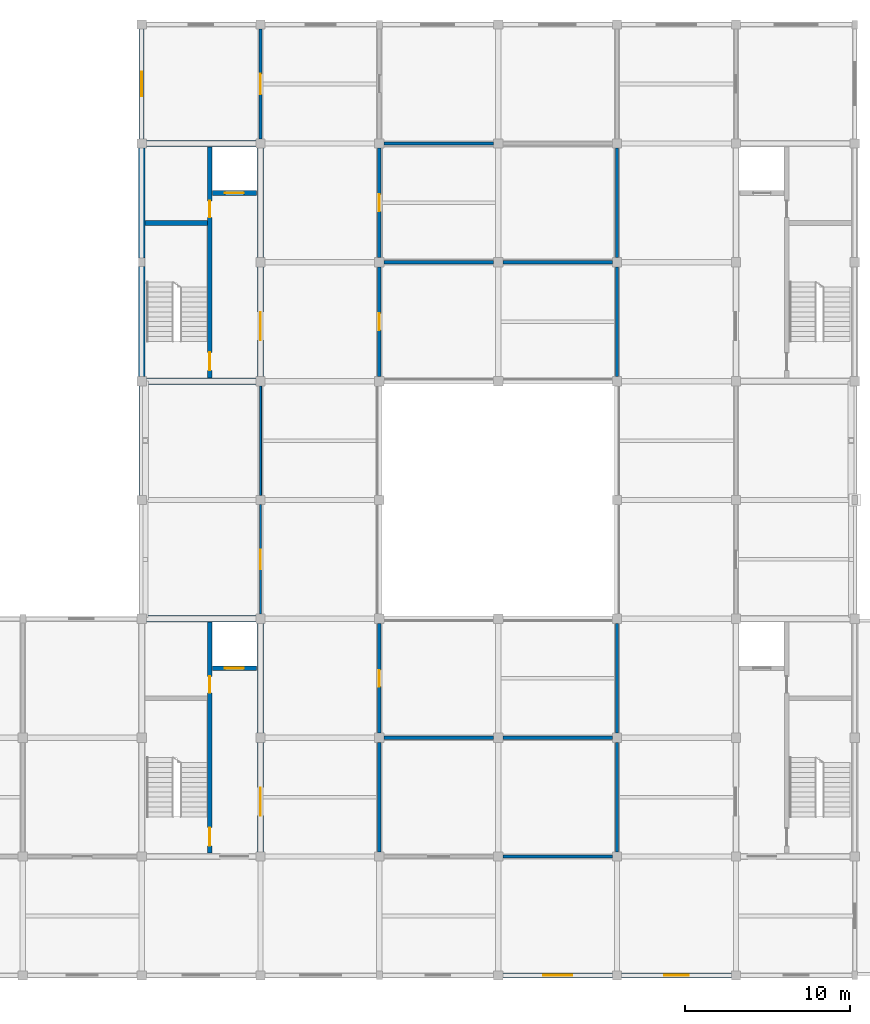
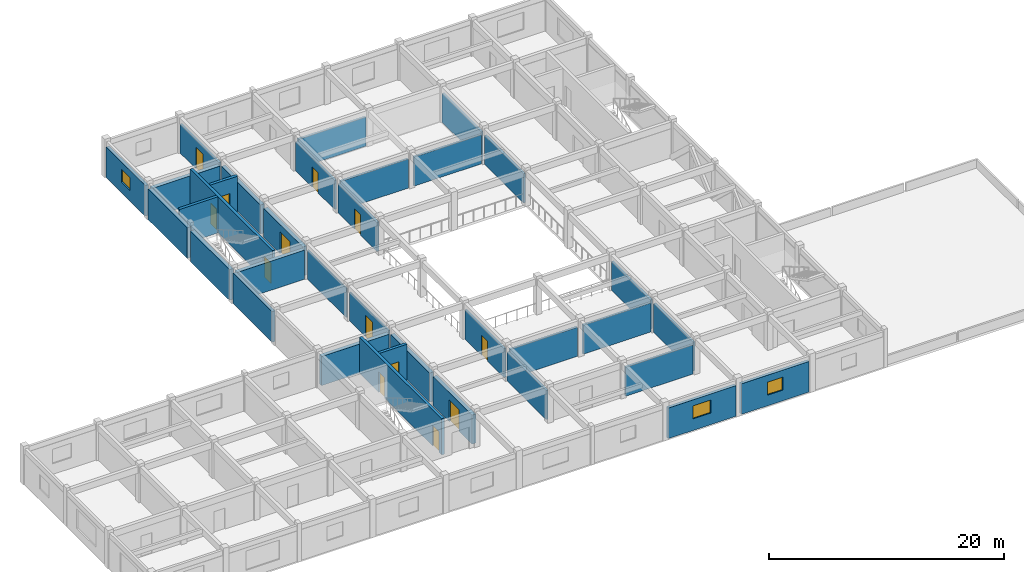
# One storey, part 5 of 8: 35 walls, 13 doors, 3 windows, 16 openings.
"""IFC4 building model written with IfcOpenShell, lengths in metres."""

from ifc_helpers import new_model, si_unit, direction, frame, frame_2d, origin, place, context, subcontext, project, spatial, rectangle, extrude, material, layer, layer_set, type_object, element, fill, save


model = new_model("IFC4")

# Units and contexts
model_context = context("Model", 3, precision=1e-05, world=origin(), true_north=direction((0.0, 1.0)))
body_context = subcontext(model_context, "Body", "Model", "MODEL_VIEW")
ifc_project = project(units=[si_unit("LENGTHUNIT", "METRE"), si_unit("AREAUNIT", "SQUARE_METRE"), si_unit("VOLUMEUNIT", "CUBIC_METRE"), si_unit("PLANEANGLEUNIT", "RADIAN"), si_unit("MASSUNIT", "GRAM", prefix="KILO")], contexts=[model_context])

# Site, building, storey
site_placement = place(None, origin())
site = spatial("IfcSite", under=ifc_project, at=site_placement, CompositionType="ELEMENT")
building_placement = place(site_placement, origin())
building = spatial("IfcBuilding", under=site, at=building_placement, Name="Cendaluz Park School", CompositionType="ELEMENT")
storey_placement = place(building_placement, frame((0.0, 0.0, 42.800048828125)))
storey = spatial("IfcBuildingStorey", under=building, at=storey_placement, Name="L10", CompositionType="ELEMENT", Elevation=42.800048828125)

# Walls
ifc_material_1 = material(Name="Gypsum Plasterboard on Cold-Formed Stud", Category="gypsum")
ifc_layer_1 = layer(ifc_material_1, 0.199951171875)
ifc_layer_set_1 = layer_set([ifc_layer_1], Name="Gypsum Plasterboard on Cold-Formed Stud")
wall_type_1 = type_object("IfcWallType", Name="W-AC20", PredefinedType="PARTITIONING", material=ifc_layer_set_1)
for number, where, z_axis, x_axis, name in (
    (1, (79.47998046875, 50.39990234375, 0.0), (0.0, 0.0, 1.0), (1.0, 0.0, 0.0), "WL-FK-BL5"),
    (2, (79.47998046875, 57.60009765625, 0.0), (0.0, 0.0, 1.0), (1.0, 0.0, 0.0), "WL-FK-BL6"),
):
    element("IfcWall", number, at=place(storey_placement, frame(where, z_axis=z_axis, x_axis=x_axis)), inside=storey, type_object=wall_type_1, Name=name, PredefinedType="PARTITIONING", context=body_context, shape_type="SweptSolid", body=[
        extrude(rectangle(XDim=6.64013671875, YDim=0.199951171875, at=frame_2d((3.320068359375, 0.0))), origin(), (0.0, 0.0, 1.0), 3.02001953125),
    ])

# Wall, opening, door
wall_1_placement = place(storey_placement, frame((79.199951171875, 50.679931640625, 0.0), z_axis=(0.0, 0.0, 1.0), x_axis=(0.0, 1.0, 0.0)))
wall_1 = element("IfcWall", 3, at=wall_1_placement, inside=storey, type_object=wall_type_1, Name="WL-FK-BL7", PredefinedType="PARTITIONING", context=body_context, shape_type="SweptSolid", body=[
    extrude(rectangle(XDim=6.64013671875, YDim=0.199951171875, at=frame_2d((3.320068359375, 0.0))), origin(), (0.0, 0.0, 1.0), 3.02001953125),
])
opening_1_placement = place(wall_1_placement, frame((2.81005859375, 0.0, 0.0)))
opening_1 = element("IfcOpeningElement", 4, at=opening_1_placement, cuts=wall_1, Name="Opening DCL-02", PredefinedType="OPENING", context=body_context, shape_type="SweptSolid", body=[
    extrude(rectangle(XDim=1.02001953125, YDim=2.1201171875, at=frame_2d((0.510009765625, 1.06005859375))), frame((0.0, 0.112060546875, 0.0), z_axis=(0.0, -1.0, 0.0), x_axis=(1.0, 0.0, 0.0)), (0.0, 0.0, 1.0), 0.223876953125),
])
ifc_material_2 = material(Name="Solid Core Hardwood", Category="wood")
door_type_1 = type_object("IfcDoorType", Name="DCL-02", OperationType="NOTDEFINED", PredefinedType="DOOR", material=ifc_material_2)
door_1_placement = place(opening_1_placement, frame((1.02001953125, 0.0, 0.0), z_axis=(0.0, 0.0, 1.0), x_axis=(-1.0, 0.0, 0.0)))
door_1 = element("IfcDoor", 5, at=door_1_placement, inside=storey, type_object=door_type_1, Name="D-L10-019", OperationType="SINGLE_SWING_LEFT", OverallHeight=2.1201171875, OverallWidth=1.02001953125, PredefinedType="DOOR", context=body_context, shape_type="SweptSolid", body=[
    extrude(rectangle(XDim=1.02001953125, YDim=2.1201171875, at=frame_2d((0.510009765625, 1.06005859375))), frame((0.0, 0.02490234375, 0.0), z_axis=(0.0, -1.0, 0.0), x_axis=(1.0, 0.0, 0.0)), (0.0, 0.0, 1.0), 0.050048828125),
])
fill(opening_1, door_1)

# Walls
for number, where, z_axis, x_axis, name in (
    (6, (86.679931640625, 50.39990234375, 0.0), (0.0, 0.0, 1.0), (1.0, 0.0, 0.0), "WL-FK-BL8"),
    (7, (93.60009765625, 50.679931640625, 0.0), (0.0, 0.0, 1.0), (0.0, 1.0, 0.0), "WL-FK-BM0"),
):
    element("IfcWall", number, at=place(storey_placement, frame(where, z_axis=z_axis, x_axis=x_axis)), inside=storey, type_object=wall_type_1, Name=name, PredefinedType="PARTITIONING", context=body_context, shape_type="SweptSolid", body=[
        extrude(rectangle(XDim=6.64013671875, YDim=0.199951171875, at=frame_2d((3.320068359375, 0.0))), origin(), (0.0, 0.0, 1.0), 3.02001953125),
    ])

# Wall, opening, door
wall_2_placement = place(storey_placement, frame((72.0, 57.8798828125, 0.0), z_axis=(0.0, 0.0, 1.0), x_axis=(0.0, 1.0, 0.0)))
wall_2 = element("IfcWall", 8, at=wall_2_placement, inside=storey, type_object=wall_type_1, Name="WL-FK-BN5", PredefinedType="PARTITIONING", context=body_context, shape_type="SweptSolid", body=[
    extrude(rectangle(XDim=6.64013671875, YDim=0.199951171875, at=frame_2d((3.320068359375, 0.0))), origin(), (0.0, 0.0, 1.0), 3.02001953125),
])
opening_2_placement = place(wall_2_placement, frame((2.699951171875, 0.0, 0.0)))
opening_2 = element("IfcOpeningElement", 9, at=opening_2_placement, cuts=wall_2, Name="Opening DCL-09", PredefinedType="OPENING", context=body_context, shape_type="SweptSolid", body=[
    extrude(rectangle(XDim=1.239990234375, YDim=2.260009765625, at=frame_2d((0.6201171875, 1.1298828125))), frame((0.0, 0.112060546875, 0.0), z_axis=(0.0, -1.0, 0.0), x_axis=(1.0, 0.0, 0.0)), (0.0, 0.0, 1.0), 0.223876953125),
])
door_type_2 = type_object("IfcDoorType", Name="DCL-09", OperationType="NOTDEFINED", PredefinedType="DOOR", material=ifc_material_2)
door_2_placement = place(opening_2_placement, origin())
door_2 = element("IfcDoor", 10, at=door_2_placement, inside=storey, type_object=door_type_2, Name="D-L10-026", OperationType="SINGLE_SWING_RIGHT", OverallHeight=2.260009765625, OverallWidth=1.239990234375, PredefinedType="DOOR", context=body_context, shape_type="SweptSolid", body=[
    extrude(rectangle(XDim=1.239990234375, YDim=2.260009765625, at=frame_2d((0.6201171875, 1.1298828125))), frame((0.0, 0.02490234375, 0.0), z_axis=(0.0, -1.0, 0.0), x_axis=(1.0, 0.0, 0.0)), (0.0, 0.0, 1.0), 0.050048828125),
])
fill(opening_2, door_2)

# Walls
for number, where, z_axis, x_axis, name in (
    (11, (79.47998046875, 21.60009765625, 0.0), (0.0, 0.0, 1.0), (1.0, 0.0, 0.0), "WL-FK-BN7"),
    (12, (79.199951171875, 14.679931640625, 0.0), (0.0, 0.0, 1.0), (0.0, 1.0, 0.0), "WL-FK-BN8"),
    (13, (86.679931640625, 14.39990234375, 0.0), (0.0, 0.0, 1.0), (1.0, 0.0, 0.0), "WL-FK-BN9"),
    (14, (86.679931640625, 21.60009765625, 0.0), (0.0, 0.0, 1.0), (1.0, 0.0, 0.0), "WL-FK-BO0"),
    (15, (93.60009765625, 14.679931640625, 0.0), (0.0, 0.0, 1.0), (0.0, 1.0, 0.0), "WL-FK-BO1"),
):
    element("IfcWall", number, at=place(storey_placement, frame(where, z_axis=z_axis, x_axis=x_axis)), inside=storey, type_object=wall_type_1, Name=name, PredefinedType="PARTITIONING", context=body_context, shape_type="SweptSolid", body=[
        extrude(rectangle(XDim=6.64013671875, YDim=0.199951171875, at=frame_2d((3.320068359375, 0.0))), origin(), (0.0, 0.0, 1.0), 3.02001953125),
    ])

# Wall, opening, door
wall_3_placement = place(storey_placement, frame((79.199951171875, 21.8798828125, 0.0), z_axis=(0.0, 0.0, 1.0), x_axis=(0.0, 1.0, 0.0)))
wall_3 = element("IfcWall", 16, at=wall_3_placement, inside=storey, type_object=wall_type_1, Name="WL-FK-BO2", PredefinedType="PARTITIONING", context=body_context, shape_type="SweptSolid", body=[
    extrude(rectangle(XDim=6.64013671875, YDim=0.199951171875, at=frame_2d((3.320068359375, 0.0))), origin(), (0.0, 0.0, 1.0), 3.02001953125),
])
opening_3_placement = place(wall_3_placement, frame((2.820068359375, 0.0, 0.0)))
opening_3 = element("IfcOpeningElement", 17, at=opening_3_placement, cuts=wall_3, Name="Opening DCL-01", PredefinedType="OPENING", context=body_context, shape_type="SweptSolid", body=[
    extrude(rectangle(XDim=1.0, YDim=2.10009765625, at=frame_2d((0.5, 1.050048828125))), frame((0.0, 0.112060546875, 0.0), z_axis=(0.0, -1.0, 0.0), x_axis=(1.0, 0.0, 0.0)), (0.0, 0.0, 1.0), 0.223876953125),
])
door_type_3 = type_object("IfcDoorType", Name="DCL-01", OperationType="NOTDEFINED", PredefinedType="DOOR", material=ifc_material_2)
door_3_placement = place(opening_3_placement, frame((1.0, 0.0, 0.0), z_axis=(0.0, 0.0, 1.0), x_axis=(-1.0, 0.0, 0.0)))
door_3 = element("IfcDoor", 18, at=door_3_placement, inside=storey, type_object=door_type_3, Name="D-L10-028", OperationType="SINGLE_SWING_RIGHT", OverallHeight=2.10009765625, OverallWidth=1.0, PredefinedType="DOOR", context=body_context, shape_type="SweptSolid", body=[
    extrude(rectangle(XDim=1.0, YDim=2.10009765625, at=frame_2d((0.5, 1.050048828125))), frame((0.0, 0.02490234375, 0.0), z_axis=(0.0, -1.0, 0.0), x_axis=(1.0, 0.0, 0.0)), (0.0, 0.0, 1.0), 0.050048828125),
])
fill(opening_3, door_3)

# Wall
wall_4_placement = place(storey_placement, frame((93.60009765625, 21.8798828125, 0.0), z_axis=(0.0, 0.0, 1.0), x_axis=(0.0, 1.0, 0.0)))
element("IfcWall", 19, at=wall_4_placement, inside=storey, type_object=wall_type_1, Name="WL-FK-BO3", PredefinedType="PARTITIONING", context=body_context, shape_type="SweptSolid", body=[
    extrude(rectangle(XDim=6.64013671875, YDim=0.199951171875, at=frame_2d((3.320068359375, 0.0))), origin(), (0.0, 0.0, 1.0), 3.02001953125),
])

# Wall, opening, door
wall_5_placement = place(storey_placement, frame((79.199951171875, 43.47998046875, 0.0), z_axis=(0.0, 0.0, 1.0), x_axis=(0.0, 1.0, 0.0)))
wall_5 = element("IfcWall", 20, at=wall_5_placement, inside=storey, type_object=wall_type_1, Name="WL-FK-BO4", PredefinedType="PARTITIONING", context=body_context, shape_type="SweptSolid", body=[
    extrude(rectangle(XDim=6.64013671875, YDim=0.199951171875, at=frame_2d((3.320068359375, 0.0))), origin(), (0.0, 0.0, 1.0), 3.02001953125),
])
opening_4_placement = place(wall_5_placement, frame((2.81005859375, 0.0, 0.0)))
opening_4 = element("IfcOpeningElement", 21, at=opening_4_placement, cuts=wall_5, Name="Opening DCL-02", PredefinedType="OPENING", context=body_context, shape_type="SweptSolid", body=[
    extrude(rectangle(XDim=1.02001953125, YDim=2.1201171875, at=frame_2d((0.510009765625, 1.06005859375))), frame((0.0, 0.112060546875, 0.0), z_axis=(0.0, -1.0, 0.0), x_axis=(1.0, 0.0, 0.0)), (0.0, 0.0, 1.0), 0.223876953125),
])
door_4_placement = place(opening_4_placement, frame((1.02001953125, 0.0, 0.0), z_axis=(0.0, 0.0, 1.0), x_axis=(-1.0, 0.0, 0.0)))
door_4 = element("IfcDoor", 22, at=door_4_placement, inside=storey, type_object=door_type_1, Name="D-L10-029", OperationType="SINGLE_SWING_LEFT", OverallHeight=2.1201171875, OverallWidth=1.02001953125, PredefinedType="DOOR", context=body_context, shape_type="SweptSolid", body=[
    extrude(rectangle(XDim=1.02001953125, YDim=2.1201171875, at=frame_2d((0.510009765625, 1.06005859375))), frame((0.0, 0.02490234375, 0.0), z_axis=(0.0, -1.0, 0.0), x_axis=(1.0, 0.0, 0.0)), (0.0, 0.0, 1.0), 0.050048828125),
])
fill(opening_4, door_4)

# Walls
wall_6_placement = place(storey_placement, frame((93.60009765625, 43.47998046875, 0.0), z_axis=(0.0, 0.0, 1.0), x_axis=(0.0, 1.0, 0.0)))
element("IfcWall", 23, at=wall_6_placement, inside=storey, type_object=wall_type_1, Name="WL-FK-BO5", PredefinedType="PARTITIONING", context=body_context, shape_type="SweptSolid", body=[
    extrude(rectangle(XDim=6.64013671875, YDim=0.199951171875, at=frame_2d((3.320068359375, 0.0))), origin(), (0.0, 0.0, 1.0), 3.02001953125),
])
ifc_material_3 = material(Name="Cross-laminated timber CLT C24", Category="wood")
ifc_layer_2 = layer(ifc_material_3, 0.300048828125)
ifc_layer_set_2 = layer_set([ifc_layer_2], Name="Cross-laminated timber CLT C24")
wall_type_2 = type_object("IfcWallType", Name="W-EX30", PredefinedType="SOLIDWALL", material=ifc_layer_set_2)
wall_7_placement = place(storey_placement, frame((64.800048828125, 36.280029296875, 0.0), z_axis=(0.0, 0.0, 1.0), x_axis=(0.0, 1.0, 0.0)))
element("IfcWall", 24, at=wall_7_placement, inside=storey, type_object=wall_type_2, Name="WL-FK-AB3", PredefinedType="SOLIDWALL", context=body_context, shape_type="SweptSolid", body=[
    extrude(rectangle(XDim=6.639892578125, YDim=0.300048828125, at=frame_2d((3.31982421875, 0.0))), origin(), (0.0, 0.0, 1.0), 3.179931640625),
])

# Wall, opening, window
wall_8_placement = place(storey_placement, frame((64.800048828125, 57.8798828125, 0.0), z_axis=(0.0, 0.0, 1.0), x_axis=(0.0, 1.0, 0.0)))
wall_8 = element("IfcWall", 25, at=wall_8_placement, inside=storey, type_object=wall_type_2, Name="WL-FK-AB5", PredefinedType="SOLIDWALL", context=body_context, shape_type="SweptSolid", body=[
    extrude(rectangle(XDim=6.64013671875, YDim=0.300048828125, at=frame_2d((3.320068359375, 0.0))), origin(), (0.0, 0.0, 1.0), 3.179931640625),
])
opening_5_placement = place(wall_8_placement, frame((2.570068359375, 0.0, 1.10009765625)))
opening_5 = element("IfcOpeningElement", 26, at=opening_5_placement, cuts=wall_8, Name="Opening WN-20", PredefinedType="OPENING", context=body_context, shape_type="SweptSolid", body=[
    extrude(rectangle(XDim=1.5, YDim=1.35009765625, at=frame_2d((0.75, 0.675048828125))), frame((0.0, 0.162109375, 0.0), z_axis=(0.0, -1.0, 0.0), x_axis=(1.0, 0.0, 0.0)), (0.0, 0.0, 1.0), 0.323974609375),
])
ifc_material_4 = material(Name="Tempered Low-E Double Glazing", Category="glass")
window_type_1 = type_object("IfcWindowType", Name="WN-20", PartitioningType="SINGLE_PANEL", PredefinedType="WINDOW", material=ifc_material_4)
window_1_placement = place(opening_5_placement, origin())
window_1 = element("IfcWindow", 27, at=window_1_placement, inside=storey, type_object=window_type_1, Name="WN-L10-014", OverallHeight=1.35009765625, OverallWidth=1.5, PartitioningType="SINGLE_PANEL", PredefinedType="WINDOW", context=body_context, shape_type="SweptSolid", body=[
    extrude(rectangle(XDim=1.5, YDim=1.35009765625, at=frame_2d((0.75, 0.675048828125))), frame((0.0, 0.030029296875, 0.0), z_axis=(0.0, -1.0, 0.0), x_axis=(1.0, 0.0, 0.0)), (0.0, 0.0, 1.0), 0.06005859375),
])
fill(opening_5, window_1)

wall_9_placement = place(storey_placement, frame((86.679931640625, 7.199951171875, 0.0), z_axis=(0.0, 0.0, 1.0), x_axis=(1.0, 0.0, 0.0)))
wall_9 = element("IfcWall", 28, at=wall_9_placement, inside=storey, type_object=wall_type_2, Name="WL-FK-AC0", PredefinedType="SOLIDWALL", context=body_context, shape_type="SweptSolid", body=[
    extrude(rectangle(XDim=6.64013671875, YDim=0.300048828125, at=frame_2d((3.320068359375, 0.0))), origin(), (0.0, 0.0, 1.0), 3.179931640625),
])
opening_6_placement = place(wall_9_placement, frame((2.445068359375, 0.0, 1.199951171875)))
opening_6 = element("IfcOpeningElement", 29, at=opening_6_placement, cuts=wall_9, Name="Opening WN-21", PredefinedType="OPENING", context=body_context, shape_type="SweptSolid", body=[
    extrude(rectangle(XDim=1.75, YDim=1.35009765625, at=frame_2d((0.875, 0.675048828125))), frame((0.0, 0.162109375, 0.0), z_axis=(0.0, -1.0, 0.0), x_axis=(1.0, 0.0, 0.0)), (0.0, 0.0, 1.0), 0.323974609375),
])
window_type_2 = type_object("IfcWindowType", Name="WN-21", PartitioningType="SINGLE_PANEL", PredefinedType="WINDOW", material=ifc_material_4)
window_2_placement = place(opening_6_placement, origin())
window_2 = element("IfcWindow", 30, at=window_2_placement, inside=storey, type_object=window_type_2, Name="WN-L10-019", OverallHeight=1.35009765625, OverallWidth=1.75, PartitioningType="SINGLE_PANEL", PredefinedType="WINDOW", context=body_context, shape_type="SweptSolid", body=[
    extrude(rectangle(XDim=1.75, YDim=1.35009765625, at=frame_2d((0.875, 0.675048828125))), frame((0.0, 0.030029296875, 0.0), z_axis=(0.0, -1.0, 0.0), x_axis=(1.0, 0.0, 0.0)), (0.0, 0.0, 1.0), 0.06005859375),
])
fill(opening_6, window_2)

wall_10_placement = place(storey_placement, frame((93.8798828125, 7.199951171875, 0.0), z_axis=(0.0, 0.0, 1.0), x_axis=(1.0, 0.0, 0.0)))
wall_10 = element("IfcWall", 31, at=wall_10_placement, inside=storey, type_object=wall_type_2, Name="WL-FK-AC2", PredefinedType="SOLIDWALL", context=body_context, shape_type="SweptSolid", body=[
    extrude(rectangle(XDim=6.64013671875, YDim=0.300048828125, at=frame_2d((3.320068359375, 0.0))), origin(), (0.0, 0.0, 1.0), 3.179931640625),
])
opening_7_placement = place(wall_10_placement, frame((2.570068359375, 0.0, 1.10009765625)))
opening_7 = element("IfcOpeningElement", 32, at=opening_7_placement, cuts=wall_10, Name="Opening WN-20", PredefinedType="OPENING", context=body_context, shape_type="SweptSolid", body=[
    extrude(rectangle(XDim=1.5, YDim=1.35009765625, at=frame_2d((0.75, 0.675048828125))), frame((0.0, 0.162109375, 0.0), z_axis=(0.0, -1.0, 0.0), x_axis=(1.0, 0.0, 0.0)), (0.0, 0.0, 1.0), 0.323974609375),
])
window_3_placement = place(opening_7_placement, origin())
window_3 = element("IfcWindow", 33, at=window_3_placement, inside=storey, type_object=window_type_1, Name="WN-L10-021", OverallHeight=1.35009765625, OverallWidth=1.5, PartitioningType="SINGLE_PANEL", PredefinedType="WINDOW", context=body_context, shape_type="SweptSolid", body=[
    extrude(rectangle(XDim=1.5, YDim=1.35009765625, at=frame_2d((0.75, 0.675048828125))), frame((0.0, 0.030029296875, 0.0), z_axis=(0.0, -1.0, 0.0), x_axis=(1.0, 0.0, 0.0)), (0.0, 0.0, 1.0), 0.06005859375),
])
fill(opening_7, window_3)

# Wall, openings, doors
ifc_material_5 = material(Name="Concrete C40/50", Category="concrete")
ifc_layer_3 = layer(ifc_material_5, 0.280029296875)
ifc_layer_set_3 = layer_set([ifc_layer_3], Name="Concrete C40/50")
wall_type_3 = type_object("IfcWallType", Name="W-FW28", PredefinedType="SHEAR", material=ifc_layer_set_3)
wall_11_placement = place(storey_placement, frame((68.919921875, 14.60009765625, 0.0), z_axis=(0.0, 0.0, 1.0), x_axis=(0.0, 1.0, 0.0)))
wall_11 = element("IfcWall", 34, at=wall_11_placement, inside=storey, type_object=wall_type_3, Name="WL-FK-BI5", PredefinedType="SHEAR", context=body_context, shape_type="SweptSolid", body=[
    extrude(rectangle(XDim=14.0, YDim=0.280029296875, at=frame_2d((7.0, 0.0))), origin(), (0.0, 0.0, 1.0), 3.75),
])
opening_8_placement = place(wall_11_placement, frame((0.449951171875, 0.0, 0.0)))
opening_8 = element("IfcOpeningElement", 35, at=opening_8_placement, cuts=wall_11, Name="Opening DST-01", PredefinedType="OPENING", context=body_context, shape_type="SweptSolid", body=[
    extrude(rectangle(XDim=1.10009765625, YDim=2.14990234375, at=frame_2d((0.550048828125, 1.074951171875))), frame((0.0, 0.152099609375, 0.0), z_axis=(0.0, -1.0, 0.0), x_axis=(1.0, 0.0, 0.0)), (0.0, 0.0, 1.0), 0.303955078125),
])
opening_9_placement = place(wall_11_placement, frame((9.719970703125, 0.0, 0.0)))
opening_9 = element("IfcOpeningElement", 36, at=opening_9_placement, cuts=wall_11, Name="Opening DFC-01", PredefinedType="OPENING", context=body_context, shape_type="SweptSolid", body=[
    extrude(rectangle(XDim=1.0, YDim=2.14990234375, at=frame_2d((0.5, 1.074951171875))), frame((0.0, 0.152099609375, 0.0), z_axis=(0.0, -1.0, 0.0), x_axis=(1.0, 0.0, 0.0)), (0.0, 0.0, 1.0), 0.303955078125),
])
door_type_4 = type_object("IfcDoorType", Name="DFC-01", OperationType="NOTDEFINED", PredefinedType="DOOR", material=ifc_material_2)
door_5_placement = place(opening_9_placement, origin())
door_5 = element("IfcDoor", 37, at=door_5_placement, inside=storey, type_object=door_type_4, Name="D-L10-004", OperationType="SINGLE_SWING_RIGHT", OverallHeight=2.14990234375, OverallWidth=1.0, PredefinedType="DOOR", context=body_context, shape_type="SweptSolid", body=[
    extrude(rectangle(XDim=1.0, YDim=2.14990234375, at=frame_2d((0.5, 1.074951171875))), frame((0.0, 0.02490234375, 0.0), z_axis=(0.0, -1.0, 0.0), x_axis=(1.0, 0.0, 0.0)), (0.0, 0.0, 1.0), 0.050048828125),
])
fill(opening_9, door_5)
door_type_5 = type_object("IfcDoorType", Name="DST-01", OperationType="NOTDEFINED", PredefinedType="DOOR", material=ifc_material_2)
door_6_placement = place(opening_8_placement, origin())
door_6 = element("IfcDoor", 38, at=door_6_placement, inside=storey, type_object=door_type_5, Name="D-L10-003", OperationType="SINGLE_SWING_LEFT", OverallHeight=2.14990234375, OverallWidth=1.10009765625, PredefinedType="DOOR", context=body_context, shape_type="SweptSolid", body=[
    extrude(rectangle(XDim=1.10009765625, YDim=2.14990234375, at=frame_2d((0.550048828125, 1.074951171875))), frame((0.0, 0.02490234375, 0.0), z_axis=(0.0, -1.0, 0.0), x_axis=(1.0, 0.0, 0.0)), (0.0, 0.0, 1.0), 0.050048828125),
])
fill(opening_8, door_6)

# Wall, opening, door
wall_12_placement = place(storey_placement, frame((69.080078125, 25.800048828125, 0.0), z_axis=(0.0, 0.0, 1.0), x_axis=(1.0, 0.0, 0.0)))
wall_12 = element("IfcWall", 39, at=wall_12_placement, inside=storey, type_object=wall_type_3, Name="WL-FK-BI7", PredefinedType="SHEAR", context=body_context, shape_type="SweptSolid", body=[
    extrude(rectangle(XDim=2.679931640625, YDim=0.280029296875, at=frame_2d((1.33984375, 0.0))), origin(), (0.0, 0.0, 1.0), 3.75),
])
opening_10_placement = place(wall_12_placement, frame((0.764892578125, 0.0, 0.0)))
opening_10 = element("IfcOpeningElement", 40, at=opening_10_placement, cuts=wall_12, Name="Opening LD-01", PredefinedType="OPENING", context=body_context, shape_type="SweptSolid", body=[
    extrude(rectangle(XDim=1.14990234375, YDim=2.199951171875, at=frame_2d((0.574951171875, 1.10009765625))), frame((0.0, 0.152099609375, 0.0), z_axis=(0.0, -1.0, 0.0), x_axis=(1.0, 0.0, 0.0)), (0.0, 0.0, 1.0), 0.303955078125),
])
ifc_material_6 = material(Name="Stainless Steel 316L", Category="steel")
door_type_6 = type_object("IfcDoorType", Name="LD-01", OperationType="DOUBLE_DOOR_SLIDING", PredefinedType="DOOR", material=ifc_material_6)
door_7_placement = place(opening_10_placement, frame((1.14990234375, 0.0, 0.0), z_axis=(0.0, 0.0, 1.0), x_axis=(-1.0, 0.0, 0.0)))
door_7 = element("IfcDoor", 41, at=door_7_placement, inside=storey, type_object=door_type_6, Name="D-L10-005", OperationType="DOUBLE_DOOR_SLIDING", OverallHeight=2.199951171875, OverallWidth=1.14990234375, PredefinedType="DOOR", context=body_context, shape_type="SweptSolid", body=[
    extrude(rectangle(XDim=1.14990234375, YDim=2.199951171875, at=frame_2d((0.574951171875, 1.10009765625))), frame((0.0, 0.02490234375, 0.0), z_axis=(0.0, -1.0, 0.0), x_axis=(1.0, 0.0, 0.0)), (0.0, 0.0, 1.0), 0.050048828125),
])
fill(opening_10, door_7)

# Wall, openings, doors
wall_13_placement = place(storey_placement, frame((68.919921875, 43.39990234375, 0.0), z_axis=(0.0, 0.0, 1.0), x_axis=(0.0, 1.0, 0.0)))
wall_13 = element("IfcWall", 42, at=wall_13_placement, inside=storey, type_object=wall_type_3, Name="WL-FK-BK3", PredefinedType="SHEAR", context=body_context, shape_type="SweptSolid", body=[
    extrude(rectangle(XDim=14.0, YDim=0.280029296875, at=frame_2d((7.0, 0.0))), origin(), (0.0, 0.0, 1.0), 3.75),
])
opening_11_placement = place(wall_13_placement, frame((0.449951171875, 0.0, 0.0)))
opening_11 = element("IfcOpeningElement", 43, at=opening_11_placement, cuts=wall_13, Name="Opening DST-01", PredefinedType="OPENING", context=body_context, shape_type="SweptSolid", body=[
    extrude(rectangle(XDim=1.10009765625, YDim=2.14990234375, at=frame_2d((0.550048828125, 1.074951171875))), frame((0.0, 0.152099609375, 0.0), z_axis=(0.0, -1.0, 0.0), x_axis=(1.0, 0.0, 0.0)), (0.0, 0.0, 1.0), 0.303955078125),
])
opening_12_placement = place(wall_13_placement, frame((9.719970703125, 0.0, 0.0)))
opening_12 = element("IfcOpeningElement", 44, at=opening_12_placement, cuts=wall_13, Name="Opening DFC-01", PredefinedType="OPENING", context=body_context, shape_type="SweptSolid", body=[
    extrude(rectangle(XDim=1.0, YDim=2.14990234375, at=frame_2d((0.5, 1.074951171875))), frame((0.0, 0.152099609375, 0.0), z_axis=(0.0, -1.0, 0.0), x_axis=(1.0, 0.0, 0.0)), (0.0, 0.0, 1.0), 0.303955078125),
])
door_8_placement = place(opening_12_placement, origin())
door_8 = element("IfcDoor", 45, at=door_8_placement, inside=storey, type_object=door_type_4, Name="D-L10-013", OperationType="SINGLE_SWING_RIGHT", OverallHeight=2.14990234375, OverallWidth=1.0, PredefinedType="DOOR", context=body_context, shape_type="SweptSolid", body=[
    extrude(rectangle(XDim=1.0, YDim=2.14990234375, at=frame_2d((0.5, 1.074951171875))), frame((0.0, 0.02490234375, 0.0), z_axis=(0.0, -1.0, 0.0), x_axis=(1.0, 0.0, 0.0)), (0.0, 0.0, 1.0), 0.050048828125),
])
fill(opening_12, door_8)
door_9_placement = place(opening_11_placement, origin())
door_9 = element("IfcDoor", 46, at=door_9_placement, inside=storey, type_object=door_type_5, Name="D-L10-012", OperationType="SINGLE_SWING_LEFT", OverallHeight=2.14990234375, OverallWidth=1.10009765625, PredefinedType="DOOR", context=body_context, shape_type="SweptSolid", body=[
    extrude(rectangle(XDim=1.10009765625, YDim=2.14990234375, at=frame_2d((0.550048828125, 1.074951171875))), frame((0.0, 0.02490234375, 0.0), z_axis=(0.0, -1.0, 0.0), x_axis=(1.0, 0.0, 0.0)), (0.0, 0.0, 1.0), 0.050048828125),
])
fill(opening_11, door_9)

# Wall
wall_14_placement = place(storey_placement, frame((65.0, 52.780029296875, 0.0), z_axis=(0.0, 0.0, 1.0), x_axis=(1.0, 0.0, 0.0)))
element("IfcWall", 47, at=wall_14_placement, inside=storey, type_object=wall_type_3, Name="WL-FK-BK4", PredefinedType="SHEAR", context=body_context, shape_type="SweptSolid", body=[
    extrude(rectangle(XDim=3.780029296875, YDim=0.280029296875, at=frame_2d((1.89013671875, 0.0))), origin(), (0.0, 0.0, 1.0), 3.75),
])

# Wall, opening, door
wall_15_placement = place(storey_placement, frame((69.080078125, 54.60009765625, 0.0), z_axis=(0.0, 0.0, 1.0), x_axis=(1.0, 0.0, 0.0)))
wall_15 = element("IfcWall", 48, at=wall_15_placement, inside=storey, type_object=wall_type_3, Name="WL-FK-BK5", PredefinedType="SHEAR", context=body_context, shape_type="SweptSolid", body=[
    extrude(rectangle(XDim=2.679931640625, YDim=0.280029296875, at=frame_2d((1.33984375, 0.0))), origin(), (0.0, 0.0, 1.0), 3.75),
])
opening_13_placement = place(wall_15_placement, frame((0.764892578125, 0.0, 0.0)))
opening_13 = element("IfcOpeningElement", 49, at=opening_13_placement, cuts=wall_15, Name="Opening LD-01", PredefinedType="OPENING", context=body_context, shape_type="SweptSolid", body=[
    extrude(rectangle(XDim=1.14990234375, YDim=2.199951171875, at=frame_2d((0.574951171875, 1.10009765625))), frame((0.0, 0.152099609375, 0.0), z_axis=(0.0, -1.0, 0.0), x_axis=(1.0, 0.0, 0.0)), (0.0, 0.0, 1.0), 0.303955078125),
])
door_10_placement = place(opening_13_placement, frame((1.14990234375, 0.0, 0.0), z_axis=(0.0, 0.0, 1.0), x_axis=(-1.0, 0.0, 0.0)))
door_10 = element("IfcDoor", 50, at=door_10_placement, inside=storey, type_object=door_type_6, Name="D-L10-014", OperationType="DOUBLE_DOOR_SLIDING", OverallHeight=2.199951171875, OverallWidth=1.14990234375, PredefinedType="DOOR", context=body_context, shape_type="SweptSolid", body=[
    extrude(rectangle(XDim=1.14990234375, YDim=2.199951171875, at=frame_2d((0.574951171875, 1.10009765625))), frame((0.0, 0.02490234375, 0.0), z_axis=(0.0, -1.0, 0.0), x_axis=(1.0, 0.0, 0.0)), (0.0, 0.0, 1.0), 0.050048828125),
])
fill(opening_13, door_10)

ifc_layer_4 = layer(ifc_material_1, 0.1201171875)
ifc_layer_set_4 = layer_set([ifc_layer_4], Name="Gypsum Plasterboard on Cold-Formed Stud")
wall_type_4 = type_object("IfcWallType", Name="W-MV12", PredefinedType="MOVABLE", material=ifc_layer_set_4)
wall_16_placement = place(storey_placement, frame((72.0, 29.080078125, 0.0), z_axis=(0.0, 0.0, 1.0), x_axis=(0.0, 1.0, 0.0)))
wall_16 = element("IfcWall", 51, at=wall_16_placement, inside=storey, type_object=wall_type_4, Name="WL-FK-BN3", PredefinedType="MOVABLE", context=body_context, shape_type="SweptSolid", body=[
    extrude(rectangle(XDim=6.639892578125, YDim=0.1201171875, at=frame_2d((3.31982421875, 0.0))), origin(), (0.0, 0.0, 1.0), 3.02001953125),
])
opening_14_placement = place(wall_16_placement, frame((2.719970703125, 0.0, 0.0)))
opening_14 = element("IfcOpeningElement", 52, at=opening_14_placement, cuts=wall_16, Name="Opening DCL-08", PredefinedType="OPENING", context=body_context, shape_type="SweptSolid", body=[
    extrude(rectangle(XDim=1.199951171875, YDim=2.239990234375, at=frame_2d((0.60009765625, 1.1201171875))), frame((0.0, 0.072021484375, 0.0), z_axis=(0.0, -1.0, 0.0), x_axis=(1.0, 0.0, 0.0)), (0.0, 0.0, 1.0), 0.14404296875),
])
door_type_7 = type_object("IfcDoorType", Name="DCL-08", OperationType="NOTDEFINED", PredefinedType="DOOR", material=ifc_material_2)
door_11_placement = place(opening_14_placement, origin())
door_11 = element("IfcDoor", 53, at=door_11_placement, inside=storey, type_object=door_type_7, Name="D-L10-025", OperationType="SINGLE_SWING_LEFT", OverallHeight=2.239990234375, OverallWidth=1.199951171875, PredefinedType="DOOR", context=body_context, shape_type="SweptSolid", body=[
    extrude(rectangle(XDim=1.199951171875, YDim=2.239990234375, at=frame_2d((0.60009765625, 1.1201171875))), frame((0.0, 0.02490234375, 0.0), z_axis=(0.0, -1.0, 0.0), x_axis=(1.0, 0.0, 0.0)), (0.0, 0.0, 1.0), 0.050048828125),
])
fill(opening_14, door_11)

# Wall
wall_17_placement = place(storey_placement, frame((72.0, 36.280029296875, 0.0), z_axis=(0.0, 0.0, 1.0), x_axis=(0.0, 1.0, 0.0)))
element("IfcWall", 54, at=wall_17_placement, inside=storey, type_object=wall_type_4, Name="WL-FK-BN4", PredefinedType="MOVABLE", context=body_context, shape_type="SweptSolid", body=[
    extrude(rectangle(XDim=6.639892578125, YDim=0.1201171875, at=frame_2d((3.31982421875, 0.0))), origin(), (0.0, 0.0, 1.0), 3.02001953125),
])

# Wall, opening, door
ifc_layer_5 = layer(ifc_material_5, 0.3798828125)
ifc_layer_set_5 = layer_set([ifc_layer_5], Name="Concrete C40/50")
wall_type_5 = type_object("IfcWallType", Name="W-SH38", PredefinedType="SHEAR", material=ifc_layer_set_5)
wall_18_placement = place(storey_placement, frame((72.0, 14.679931640625, 0.0), z_axis=(0.0, 0.0, 1.0), x_axis=(0.0, 1.0, 0.0)))
wall_18 = element("IfcWall", 55, at=wall_18_placement, inside=storey, type_object=wall_type_5, Name="WL-FK-BI1", PredefinedType="SHEAR", context=body_context, shape_type="SweptSolid", body=[
    extrude(rectangle(XDim=6.64013671875, YDim=0.3798828125, at=frame_2d((3.320068359375, 0.0))), origin(), (0.0, 0.0, 1.0), 3.02001953125),
])
opening_15_placement = place(wall_18_placement, frame((2.199951171875, 0.0, 0.0)))
opening_15 = element("IfcOpeningElement", 56, at=opening_15_placement, cuts=wall_18, Name="Opening DLB-02", PredefinedType="OPENING", context=body_context, shape_type="SweptSolid", body=[
    extrude(rectangle(XDim=1.699951171875, YDim=2.25, at=frame_2d((0.85009765625, 1.125))), frame((0.0, 0.201904296875, 0.0), z_axis=(0.0, -1.0, 0.0), x_axis=(1.0, 0.0, 0.0)), (0.0, 0.0, 1.0), 0.40380859375),
])
door_type_8 = type_object("IfcDoorType", Name="DLB-02", OperationType="DOUBLE_DOOR_SINGLE_SWING", PredefinedType="DOOR", material=ifc_material_2)
door_12_placement = place(opening_15_placement, origin())
door_12 = element("IfcDoor", 57, at=door_12_placement, inside=storey, type_object=door_type_8, Name="D-L10-001", OperationType="DOUBLE_DOOR_SINGLE_SWING", OverallHeight=2.25, OverallWidth=1.699951171875, PredefinedType="DOOR", context=body_context, shape_type="SweptSolid", body=[
    extrude(rectangle(XDim=1.699951171875, YDim=2.25, at=frame_2d((0.85009765625, 1.125))), frame((0.0, 0.02490234375, 0.0), z_axis=(0.0, -1.0, 0.0), x_axis=(1.0, 0.0, 0.0)), (0.0, 0.0, 1.0), 0.050048828125),
])
fill(opening_15, door_12)

# Walls
wall_19_placement = place(storey_placement, frame((72.0, 21.8798828125, 0.0), z_axis=(0.0, 0.0, 1.0), x_axis=(0.0, 1.0, 0.0)))
element("IfcWall", 58, at=wall_19_placement, inside=storey, type_object=wall_type_5, Name="WL-FK-BI2", PredefinedType="SHEAR", context=body_context, shape_type="SweptSolid", body=[
    extrude(rectangle(XDim=6.64013671875, YDim=0.3798828125, at=frame_2d((3.320068359375, 0.0))), origin(), (0.0, 0.0, 1.0), 3.02001953125),
])
wall_20_placement = place(storey_placement, frame((65.080078125, 28.800048828125, 0.0), z_axis=(0.0, 0.0, 1.0), x_axis=(1.0, 0.0, 0.0)))
element("IfcWall", 59, at=wall_20_placement, inside=storey, type_object=wall_type_5, Name="WL-FK-BI4", PredefinedType="SHEAR", context=body_context, shape_type="SweptSolid", body=[
    extrude(rectangle(XDim=6.639892578125, YDim=0.3798828125, at=frame_2d((3.31982421875, 0.0))), origin(), (0.0, 0.0, 1.0), 3.02001953125),
])
wall_21_placement = place(storey_placement, frame((64.800048828125, 43.47998046875, 0.0), z_axis=(0.0, 0.0, 1.0), x_axis=(0.0, 1.0, 0.0)))
element("IfcWall", 60, at=wall_21_placement, inside=storey, type_object=wall_type_5, Name="WL-FK-BJ7", PredefinedType="SHEAR", context=body_context, shape_type="SweptSolid", body=[
    extrude(rectangle(XDim=6.659912109375, YDim=0.3798828125, at=frame_2d((3.330078125, 0.0))), origin(), (0.0, 0.0, 1.0), 3.179931640625),
])
wall_22_placement = place(storey_placement, frame((64.800048828125, 50.659912109375, 0.0), z_axis=(0.0, 0.0, 1.0), x_axis=(0.0, 1.0, 0.0)))
element("IfcWall", 61, at=wall_22_placement, inside=storey, type_object=wall_type_5, Name="WL-FK-BJ8", PredefinedType="SHEAR", context=body_context, shape_type="SweptSolid", body=[
    extrude(rectangle(XDim=6.66015625, YDim=0.3798828125, at=frame_2d((3.330078125, 0.0))), origin(), (0.0, 0.0, 1.0), 3.179931640625),
])

# Wall, opening, door
wall_23_placement = place(storey_placement, frame((72.0, 43.47998046875, 0.0), z_axis=(0.0, 0.0, 1.0), x_axis=(0.0, 1.0, 0.0)))
wall_23 = element("IfcWall", 62, at=wall_23_placement, inside=storey, type_object=wall_type_5, Name="WL-FK-BJ9", PredefinedType="SHEAR", context=body_context, shape_type="SweptSolid", body=[
    extrude(rectangle(XDim=6.64013671875, YDim=0.3798828125, at=frame_2d((3.320068359375, 0.0))), origin(), (0.0, 0.0, 1.0), 3.02001953125),
])
opening_16_placement = place(wall_23_placement, frame((2.199951171875, 0.0, 0.0)))
opening_16 = element("IfcOpeningElement", 63, at=opening_16_placement, cuts=wall_23, Name="Opening DLB-02", PredefinedType="OPENING", context=body_context, shape_type="SweptSolid", body=[
    extrude(rectangle(XDim=1.699951171875, YDim=2.25, at=frame_2d((0.85009765625, 1.125))), frame((0.0, 0.201904296875, 0.0), z_axis=(0.0, -1.0, 0.0), x_axis=(1.0, 0.0, 0.0)), (0.0, 0.0, 1.0), 0.40380859375),
])
door_13_placement = place(opening_16_placement, origin())
door_13 = element("IfcDoor", 64, at=door_13_placement, inside=storey, type_object=door_type_8, Name="D-L10-011", OperationType="DOUBLE_DOOR_SINGLE_SWING", OverallHeight=2.25, OverallWidth=1.699951171875, PredefinedType="DOOR", context=body_context, shape_type="SweptSolid", body=[
    extrude(rectangle(XDim=1.699951171875, YDim=2.25, at=frame_2d((0.85009765625, 1.125))), frame((0.0, 0.02490234375, 0.0), z_axis=(0.0, -1.0, 0.0), x_axis=(1.0, 0.0, 0.0)), (0.0, 0.0, 1.0), 0.050048828125),
])
fill(opening_16, door_13)

# Walls
wall_24_placement = place(storey_placement, frame((72.0, 50.679931640625, 0.0), z_axis=(0.0, 0.0, 1.0), x_axis=(0.0, 1.0, 0.0)))
element("IfcWall", 65, at=wall_24_placement, inside=storey, type_object=wall_type_5, Name="WL-FK-BK0", PredefinedType="SHEAR", context=body_context, shape_type="SweptSolid", body=[
    extrude(rectangle(XDim=6.64013671875, YDim=0.3798828125, at=frame_2d((3.320068359375, 0.0))), origin(), (0.0, 0.0, 1.0), 3.02001953125),
])
for number, where, z_axis, x_axis, name in (
    (66, (65.080078125, 43.199951171875, 0.0), (0.0, 0.0, 1.0), (1.0, 0.0, 0.0), "WL-FK-BK1"),
    (67, (65.080078125, 57.60009765625, 0.0), (0.0, 0.0, 1.0), (1.0, 0.0, 0.0), "WL-FK-BK2"),
):
    element("IfcWall", number, at=place(storey_placement, frame(where, z_axis=z_axis, x_axis=x_axis)), inside=storey, type_object=wall_type_5, Name=name, PredefinedType="SHEAR", context=body_context, shape_type="SweptSolid", body=[
        extrude(rectangle(XDim=6.639892578125, YDim=0.3798828125, at=frame_2d((3.31982421875, 0.0))), origin(), (0.0, 0.0, 1.0), 3.02001953125),
    ])

save(model, "model.ifc")
